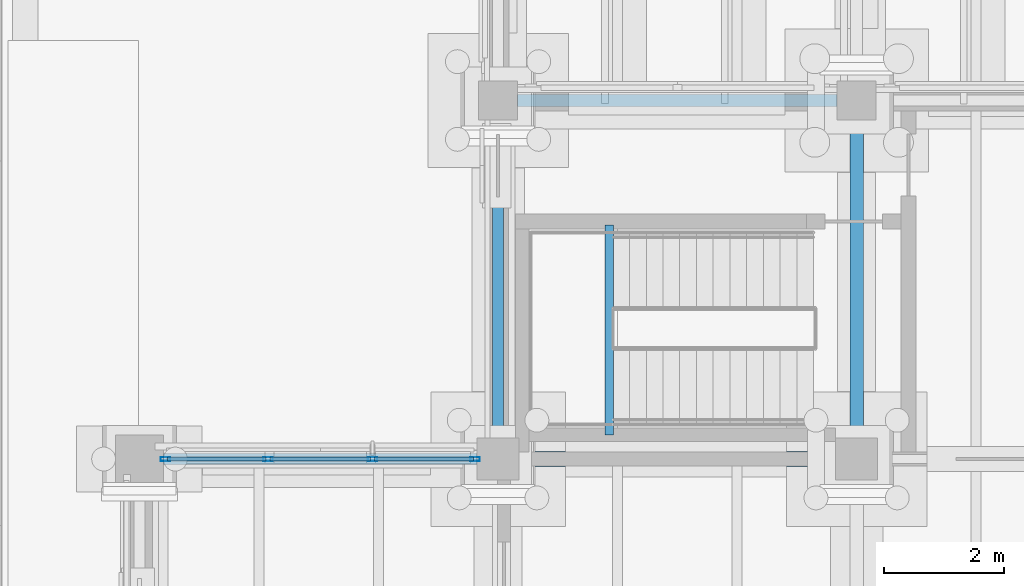
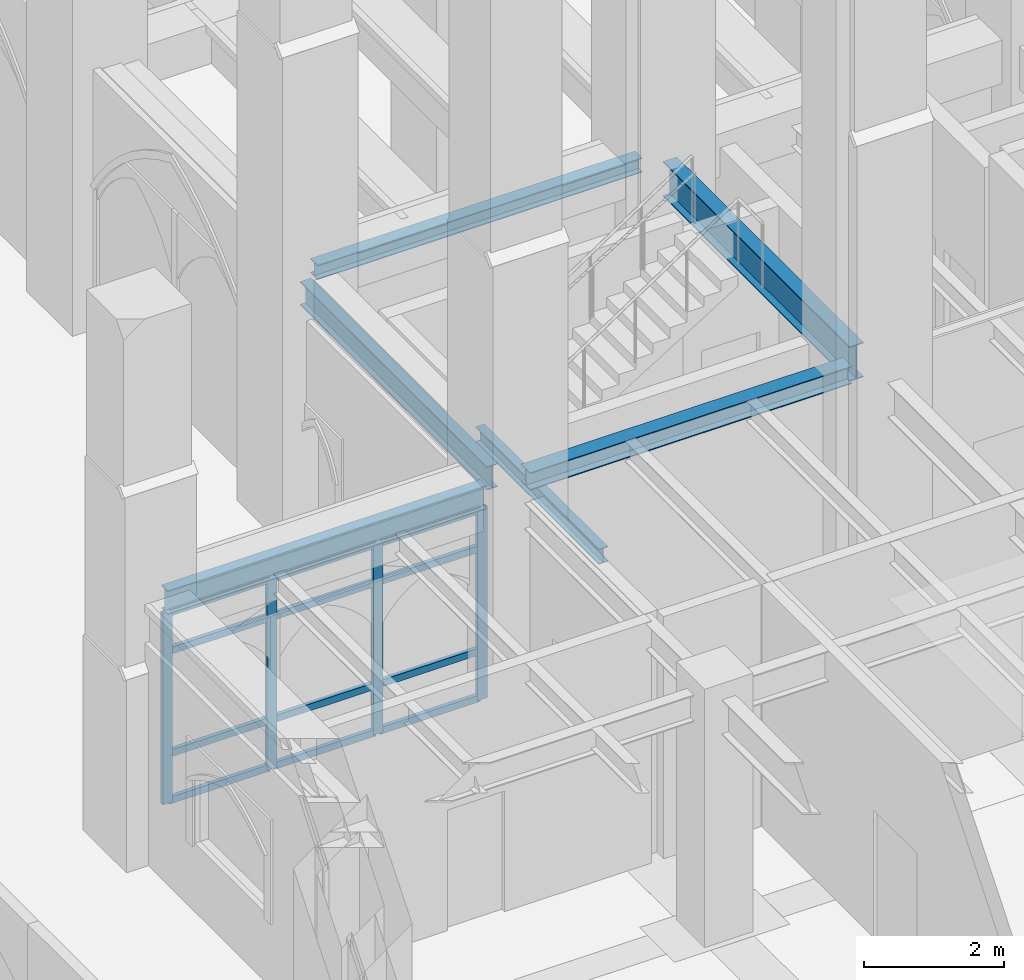
# One storey, part 21 of 135: 16 members, 6 beams, 1 element without a shape of its own.
"""IFC4 building model written with IfcOpenShell, lengths in metres."""

from ifc_helpers import new_model, si_unit, direction, frame, origin, origin_2d, place, context, subcontext, project, spatial, hollow_rectangle, i_section, extrude, material, layer, layer_set, material_profile, profile_set, type_object, element, aggregate, save


model = new_model("IFC4")

# Units and contexts
model_context = context("Model", 3, precision=1e-05, world=origin(), true_north=direction((0.0, 1.0)))
body_context = subcontext(model_context, "Body", "Model", "MODEL_VIEW")
ifc_project = project(units=[si_unit("LENGTHUNIT", "METRE"), si_unit("AREAUNIT", "SQUARE_METRE"), si_unit("VOLUMEUNIT", "CUBIC_METRE"), si_unit("PLANEANGLEUNIT", "RADIAN"), si_unit("MASSUNIT", "GRAM", prefix="KILO")], contexts=[model_context])

# Site, building, storey
site_placement = place(None, origin())
site = spatial("IfcSite", under=ifc_project, at=site_placement, CompositionType="ELEMENT")
building_placement = place(site_placement, origin())
building = spatial("IfcBuilding", under=site, at=building_placement, Name="Cumevento Cable Car Station", CompositionType="ELEMENT")
storey_placement = place(building_placement, origin())
storey = spatial("IfcBuildingStorey", under=building, at=storey_placement, Name="L01", CompositionType="ELEMENT", Elevation=0.0)

# Curtain wall, members
ifc_material_1 = material(Name="Anodised Bronze Aluminium AW-6063-T6", Category="aluminium")
ifc_layer = layer(ifc_material_1, 0.243896484375)
ifc_layer_set = layer_set([ifc_layer], Name="Anodised Bronze Aluminium AW-6063-T6")
curtain_wall_type = type_object("IfcCurtainWallType", Name="Lancet Curtain Wall CW-15 1610", PredefinedType="NOTDEFINED", material=ifc_layer_set)
curtain_wall_placement = place(storey_placement, origin())
curtain_wall = element("IfcCurtainWall", 1, at=curtain_wall_placement, inside=storey, type_object=curtain_wall_type, Name="Lancet Curtain Wall CW-15 L01 #14", PredefinedType="NOTDEFINED")
ifc_material_2 = material(Name="Anodised Bronze Aluminium AW-6063-T6", Category="aluminium")
ifc_material_profile_1 = material_profile(ifc_material_2, hollow_rectangle(XDim=0.06494140625, YDim=0.159912109375, WallThickness=0.00390625, at=origin_2d()), Name="ALUM65x160x4")
ifc_profile_set_1 = profile_set([ifc_material_profile_1], Name="Anodised Bronze Aluminium AW-6063-T6")
member_type_1 = type_object("IfcMemberType", Name="Curtain Mullion CWM-01 ALUM65x160x4", PredefinedType="MULLION", material=ifc_profile_set_1)
member_1_placement = place(storey_placement, frame((4.4326171875, 27.0, 0.4599609375), z_axis=(0.0, 0.0, 1.0), x_axis=(0.0, 1.0, 0.0)))
member_1 = element("IfcMember", 2, at=member_1_placement, type_object=member_type_1, Name="CW-15 mullion 1", PredefinedType="MULLION", context=body_context, shape_type="SweptSolid", body=[
    extrude(hollow_rectangle(XDim=0.06494140625, YDim=0.159912109375, WallThickness=0.00390625, at=origin_2d()), origin(), (0.0, 0.0, 1.0), 3.337158203125),
])
member_2_placement = place(storey_placement, frame((6.14990234375, 27.0, 0.4599609375), z_axis=(0.0, 0.0, 1.0), x_axis=(0.0, 1.0, 0.0)))
member_2 = element("IfcMember", 3, at=member_2_placement, type_object=member_type_1, Name="CW-15 mullion 2", PredefinedType="MULLION", context=body_context, shape_type="SweptSolid", body=[
    extrude(hollow_rectangle(XDim=0.06494140625, YDim=0.159912109375, WallThickness=0.00390625, at=origin_2d()), origin(), (0.0, 0.0, 1.0), 3.337158203125),
])
member_3_placement = place(storey_placement, frame((7.89990234375, 27.0, 0.4599609375), z_axis=(0.0, 0.0, 1.0), x_axis=(0.0, 1.0, 0.0)))
member_3 = element("IfcMember", 4, at=member_3_placement, type_object=member_type_1, Name="CW-15 mullion 3", PredefinedType="MULLION", context=body_context, shape_type="SweptSolid", body=[
    extrude(hollow_rectangle(XDim=0.06494140625, YDim=0.159912109375, WallThickness=0.00390625, at=origin_2d()), origin(), (0.0, 0.0, 1.0), 3.337158203125),
])
member_4_placement = place(storey_placement, frame((9.617431640625, 27.0, 0.4599609375), z_axis=(0.0, 0.0, 1.0), x_axis=(0.0, 1.0, 0.0)))
member_4 = element("IfcMember", 5, at=member_4_placement, type_object=member_type_1, Name="CW-15 mullion 4", PredefinedType="MULLION", context=body_context, shape_type="SweptSolid", body=[
    extrude(hollow_rectangle(XDim=0.06494140625, YDim=0.159912109375, WallThickness=0.00390625, at=origin_2d()), origin(), (0.0, 0.0, 1.0), 3.337158203125),
])
ifc_material_3 = material(Name="Anodised Bronze Aluminium AW-6063-T6", Category="aluminium")
ifc_material_profile_2 = material_profile(ifc_material_3, hollow_rectangle(XDim=0.06494140625, YDim=0.1201171875, WallThickness=0.00390625, at=origin_2d()), Name="ALUT65x120x4")
ifc_profile_set_2 = profile_set([ifc_material_profile_2], Name="Anodised Bronze Aluminium AW-6063-T6")
member_type_2 = type_object("IfcMemberType", Name="Curtain Transom CWT-01 ALUT65x120x4", PredefinedType="USERDEFINED", material=ifc_profile_set_2)
member_5_placement = place(storey_placement, frame((4.465087890625, 27.0, 0.492431640625), z_axis=(1.0, 0.0, 0.0), x_axis=(0.0, 1.0, 0.0)))
member_5 = element("IfcMember", 6, at=member_5_placement, type_object=member_type_2, Name="CW-15 transom 1.1", ObjectType="TRANSOM", PredefinedType="USERDEFINED", context=body_context, shape_type="SweptSolid", body=[
    extrude(hollow_rectangle(XDim=0.06494140625, YDim=0.1201171875, WallThickness=0.00390625, at=origin_2d()), origin(), (0.0, 0.0, 1.0), 1.65234375),
])
member_6_placement = place(storey_placement, frame((4.465087890625, 27.0, 1.31005859375), z_axis=(1.0, 0.0, 0.0), x_axis=(0.0, 1.0, 0.0)))
member_6 = element("IfcMember", 7, at=member_6_placement, type_object=member_type_2, Name="CW-15 transom 1.2", ObjectType="TRANSOM", PredefinedType="USERDEFINED", context=body_context, shape_type="SweptSolid", body=[
    extrude(hollow_rectangle(XDim=0.06494140625, YDim=0.1201171875, WallThickness=0.00390625, at=origin_2d()), origin(), (0.0, 0.0, 1.0), 1.65234375),
])
member_7_placement = place(storey_placement, frame((4.465087890625, 27.0, 3.096923828125), z_axis=(1.0, 0.0, 0.0), x_axis=(0.0, 1.0, 0.0)))
member_7 = element("IfcMember", 8, at=member_7_placement, type_object=member_type_2, Name="CW-15 transom 1.3", ObjectType="TRANSOM", PredefinedType="USERDEFINED", context=body_context, shape_type="SweptSolid", body=[
    extrude(hollow_rectangle(XDim=0.06494140625, YDim=0.1201171875, WallThickness=0.00390625, at=origin_2d()), origin(), (0.0, 0.0, 1.0), 1.65234375),
])
member_8_placement = place(storey_placement, frame((4.465087890625, 27.0, 3.764404296875), z_axis=(1.0, 0.0, 0.0), x_axis=(0.0, 1.0, 0.0)))
member_8 = element("IfcMember", 9, at=member_8_placement, type_object=member_type_2, Name="CW-15 transom 1.4", ObjectType="TRANSOM", PredefinedType="USERDEFINED", context=body_context, shape_type="SweptSolid", body=[
    extrude(hollow_rectangle(XDim=0.06494140625, YDim=0.1201171875, WallThickness=0.00390625, at=origin_2d()), origin(), (0.0, 0.0, 1.0), 1.65234375),
])
member_9_placement = place(storey_placement, frame((6.1826171875, 27.0, 0.492431640625), z_axis=(1.0, 0.0, 0.0), x_axis=(0.0, 1.0, 0.0)))
member_9 = element("IfcMember", 10, at=member_9_placement, type_object=member_type_2, Name="CW-15 transom 2.1", ObjectType="TRANSOM", PredefinedType="USERDEFINED", context=body_context, shape_type="SweptSolid", body=[
    extrude(hollow_rectangle(XDim=0.06494140625, YDim=0.1201171875, WallThickness=0.00390625, at=origin_2d()), origin(), (0.0, 0.0, 1.0), 1.684814453125),
])
member_10_placement = place(storey_placement, frame((6.1826171875, 27.0, 1.31005859375), z_axis=(1.0, 0.0, 0.0), x_axis=(0.0, 1.0, 0.0)))
member_10 = element("IfcMember", 11, at=member_10_placement, type_object=member_type_2, Name="CW-15 transom 2.2", ObjectType="TRANSOM", PredefinedType="USERDEFINED", context=body_context, shape_type="SweptSolid", body=[
    extrude(hollow_rectangle(XDim=0.06494140625, YDim=0.1201171875, WallThickness=0.00390625, at=origin_2d()), origin(), (0.0, 0.0, 1.0), 1.684814453125),
])
member_11_placement = place(storey_placement, frame((6.1826171875, 27.0, 3.096923828125), z_axis=(1.0, 0.0, 0.0), x_axis=(0.0, 1.0, 0.0)))
member_11 = element("IfcMember", 12, at=member_11_placement, type_object=member_type_2, Name="CW-15 transom 2.3", ObjectType="TRANSOM", PredefinedType="USERDEFINED", context=body_context, shape_type="SweptSolid", body=[
    extrude(hollow_rectangle(XDim=0.06494140625, YDim=0.1201171875, WallThickness=0.00390625, at=origin_2d()), origin(), (0.0, 0.0, 1.0), 1.684814453125),
])
member_12_placement = place(storey_placement, frame((6.1826171875, 27.0, 3.764404296875), z_axis=(1.0, 0.0, 0.0), x_axis=(0.0, 1.0, 0.0)))
member_12 = element("IfcMember", 13, at=member_12_placement, type_object=member_type_2, Name="CW-15 transom 2.4", ObjectType="TRANSOM", PredefinedType="USERDEFINED", context=body_context, shape_type="SweptSolid", body=[
    extrude(hollow_rectangle(XDim=0.06494140625, YDim=0.1201171875, WallThickness=0.00390625, at=origin_2d()), origin(), (0.0, 0.0, 1.0), 1.684814453125),
])
member_13_placement = place(storey_placement, frame((7.9326171875, 27.0, 0.492431640625), z_axis=(1.0, 0.0, 0.0), x_axis=(0.0, 1.0, 0.0)))
member_13 = element("IfcMember", 14, at=member_13_placement, type_object=member_type_2, Name="CW-15 transom 3.1", ObjectType="TRANSOM", PredefinedType="USERDEFINED", context=body_context, shape_type="SweptSolid", body=[
    extrude(hollow_rectangle(XDim=0.06494140625, YDim=0.1201171875, WallThickness=0.00390625, at=origin_2d()), origin(), (0.0, 0.0, 1.0), 1.65234375),
])
member_14_placement = place(storey_placement, frame((7.9326171875, 27.0, 1.31005859375), z_axis=(1.0, 0.0, 0.0), x_axis=(0.0, 1.0, 0.0)))
member_14 = element("IfcMember", 15, at=member_14_placement, type_object=member_type_2, Name="CW-15 transom 3.2", ObjectType="TRANSOM", PredefinedType="USERDEFINED", context=body_context, shape_type="SweptSolid", body=[
    extrude(hollow_rectangle(XDim=0.06494140625, YDim=0.1201171875, WallThickness=0.00390625, at=origin_2d()), origin(), (0.0, 0.0, 1.0), 1.65234375),
])
member_15_placement = place(storey_placement, frame((7.9326171875, 27.0, 3.096923828125), z_axis=(1.0, 0.0, 0.0), x_axis=(0.0, 1.0, 0.0)))
member_15 = element("IfcMember", 16, at=member_15_placement, type_object=member_type_2, Name="CW-15 transom 3.3", ObjectType="TRANSOM", PredefinedType="USERDEFINED", context=body_context, shape_type="SweptSolid", body=[
    extrude(hollow_rectangle(XDim=0.06494140625, YDim=0.1201171875, WallThickness=0.00390625, at=origin_2d()), origin(), (0.0, 0.0, 1.0), 1.65234375),
])
member_16_placement = place(storey_placement, frame((7.9326171875, 27.0, 3.764404296875), z_axis=(1.0, 0.0, 0.0), x_axis=(0.0, 1.0, 0.0)))
member_16 = element("IfcMember", 17, at=member_16_placement, type_object=member_type_2, Name="CW-15 transom 3.4", ObjectType="TRANSOM", PredefinedType="USERDEFINED", context=body_context, shape_type="SweptSolid", body=[
    extrude(hollow_rectangle(XDim=0.06494140625, YDim=0.1201171875, WallThickness=0.00390625, at=origin_2d()), origin(), (0.0, 0.0, 1.0), 1.65234375),
])
aggregate(curtain_wall, [member_1, member_2, member_3, member_4, member_5, member_6, member_7, member_8, member_9, member_10, member_11, member_12, member_13, member_14, member_15, member_16])

# Beams
ifc_material_4 = material(Name="Steel ASTM A572 Grade 50", Category="steel")
ifc_material_profile_3 = material_profile(ifc_material_4, i_section(OverallWidth=0.22802734375, OverallDepth=0.60791015625, WebThickness=0.01123046875, FlangeThickness=0.017333984375, at=origin_2d()), Name="W610x113.0")
ifc_profile_set_3 = profile_set([ifc_material_profile_3], Name="Steel ASTM A572 Grade 50")
beam_type_1 = type_object("IfcBeamType", Name="Structural Beam BM-02 W610x113.0", PredefinedType="BEAM", material=ifc_profile_set_3)
beam_1_placement = place(storey_placement, frame((16.0, 27.35009765625, 3.865966796875), z_axis=(0.0, 1.0, 0.0), x_axis=(-1.0, 0.0, 0.0)))
element("IfcBeam", 18, at=beam_1_placement, inside=storey, type_object=beam_type_1, Name="Beam BM-02 L01 #112", PredefinedType="BEAM", context=body_context, shape_type="SweptSolid", body=[
    extrude(i_section(OverallWidth=0.22802734375, OverallDepth=0.60791015625, WebThickness=0.01123046875, FlangeThickness=0.017333984375, at=origin_2d()), origin(), (0.0, 0.0, 1.0), 5.324951171875),
])
ifc_material_5 = material(Name="Steel ASTM A572 Grade 50", Category="steel")
ifc_material_profile_4 = material_profile(ifc_material_5, i_section(OverallWidth=0.25390625, OverallDepth=0.305908203125, WebThickness=0.0087890625, FlangeThickness=0.0146484375, at=origin_2d()), Name="W310x79.0")
ifc_profile_set_4 = profile_set([ifc_material_profile_4], Name="Steel ASTM A572 Grade 50")
beam_type_2 = type_object("IfcBeamType", Name="Structural Beam BM-06 W310x79.0", PredefinedType="BEAM", material=ifc_profile_set_4)
beam_2_placement = place(storey_placement, frame((10.35009765625, 27.0, 4.051025390625), z_axis=(1.0, 0.0, 0.0), x_axis=(0.0, 1.0, 0.0)))
element("IfcBeam", 19, at=beam_2_placement, inside=storey, type_object=beam_type_2, Name="Beam BM-06 L01 #99", PredefinedType="BEAM", context=body_context, shape_type="SweptSolid", body=[
    extrude(i_section(OverallWidth=0.25390625, OverallDepth=0.305908203125, WebThickness=0.0087890625, FlangeThickness=0.0146484375, at=origin_2d()), origin(), (0.0, 0.0, 1.0), 5.2998046875),
])
ifc_material_6 = material(Name="Steel ASTM A572 Grade 50", Category="steel")
ifc_material_profile_5 = material_profile(ifc_material_6, i_section(OverallWidth=0.14794921875, OverallDepth=0.26611328125, WebThickness=0.007568359375, FlangeThickness=0.012939453125, at=origin_2d()), Name="W250x44.8")
ifc_profile_set_5 = profile_set([ifc_material_profile_5], Name="Steel ASTM A572 Grade 50")
beam_type_3 = type_object("IfcBeamType", Name="Structural Beam BM-07 W250x44.8", PredefinedType="BEAM", material=ifc_profile_set_5)
beam_3_placement = place(storey_placement, frame((11.860107421875, 27.39990234375, 1.91796875), z_axis=(0.0, 1.0, 0.0), x_axis=(-1.0, 0.0, 0.0)))
element("IfcBeam", 20, at=beam_3_placement, inside=storey, type_object=beam_type_3, Name="Core Stair Half-Landing Trimmer ST-03-L01", PredefinedType="BEAM", context=body_context, shape_type="SweptSolid", body=[
    extrude(i_section(OverallWidth=0.14794921875, OverallDepth=0.26611328125, WebThickness=0.007568359375, FlangeThickness=0.012939453125, at=origin_2d()), origin(), (0.0, 0.0, 1.0), 3.52001953125),
])
ifc_material_7 = material(Name="Steel ASTM A572 Grade 50", Category="steel")
ifc_material_profile_6 = material_profile(ifc_material_7, i_section(OverallWidth=0.202880859375, OverallDepth=0.251953125, WebThickness=0.008056640625, FlangeThickness=0.013427734375, at=origin_2d()), Name="W250x58.0")
ifc_profile_set_6 = profile_set([ifc_material_profile_6], Name="Steel ASTM A572 Grade 50")
beam_type_4 = type_object("IfcBeamType", Name="Structural Beam BM-08 W250x58.0", PredefinedType="BEAM", material=ifc_profile_set_6)
beam_4_placement = place(storey_placement, frame((10.324951171875, 33.0, 4.0439453125), z_axis=(1.0, 0.0, 0.0), x_axis=(0.0, 1.0, 0.0)))
element("IfcBeam", 21, at=beam_4_placement, inside=storey, type_object=beam_type_4, Name="Beam BM-08 L01 #109", PredefinedType="BEAM", context=body_context, shape_type="SweptSolid", body=[
    extrude(i_section(OverallWidth=0.202880859375, OverallDepth=0.251953125, WebThickness=0.008056640625, FlangeThickness=0.013427734375, at=origin_2d()), origin(), (0.0, 0.0, 1.0), 5.35009765625),
])
ifc_material_8 = material(Name="Steel ASTM A572 Grade 50", Category="steel")
ifc_material_profile_7 = material_profile(ifc_material_8, i_section(OverallWidth=0.177978515625, OverallDepth=0.406982421875, WebThickness=0.0078125, FlangeThickness=0.0126953125, at=origin_2d()), Name="W410x60.0")
ifc_profile_set_7 = profile_set([ifc_material_profile_7], Name="Steel ASTM A572 Grade 50")
beam_type_5 = type_object("IfcBeamType", Name="Structural Spandrel SP-01 W410x60.0", PredefinedType="SPANDREL", material=ifc_profile_set_7)
beam_5_placement = place(storey_placement, frame((4.39990234375, 27.0, 4.00048828125), z_axis=(1.0, 0.0, 0.0), x_axis=(0.0, 1.0, 0.0)))
element("IfcBeam", 22, at=beam_5_placement, inside=storey, type_object=beam_type_5, Name="Beam SP-01 L01 #98", PredefinedType="SPANDREL", context=body_context, shape_type="SweptSolid", body=[
    extrude(i_section(OverallWidth=0.177978515625, OverallDepth=0.406982421875, WebThickness=0.0078125, FlangeThickness=0.0126953125, at=origin_2d()), origin(), (0.0, 0.0, 1.0), 5.25),
])
beam_6_placement = place(storey_placement, frame((10.0, 27.35009765625, 3.966552734375), z_axis=(0.0, 1.0, 0.0), x_axis=(-1.0, 0.0, 0.0)))
element("IfcBeam", 23, at=beam_6_placement, inside=storey, type_object=beam_type_5, Name="Beam SP-01 L01 #111", PredefinedType="SPANDREL", context=body_context, shape_type="SweptSolid", body=[
    extrude(i_section(OverallWidth=0.177978515625, OverallDepth=0.406982421875, WebThickness=0.0078125, FlangeThickness=0.0126953125, at=origin_2d()), origin(), (0.0, 0.0, 1.0), 5.324951171875),
])

save(model, "model.ifc")
